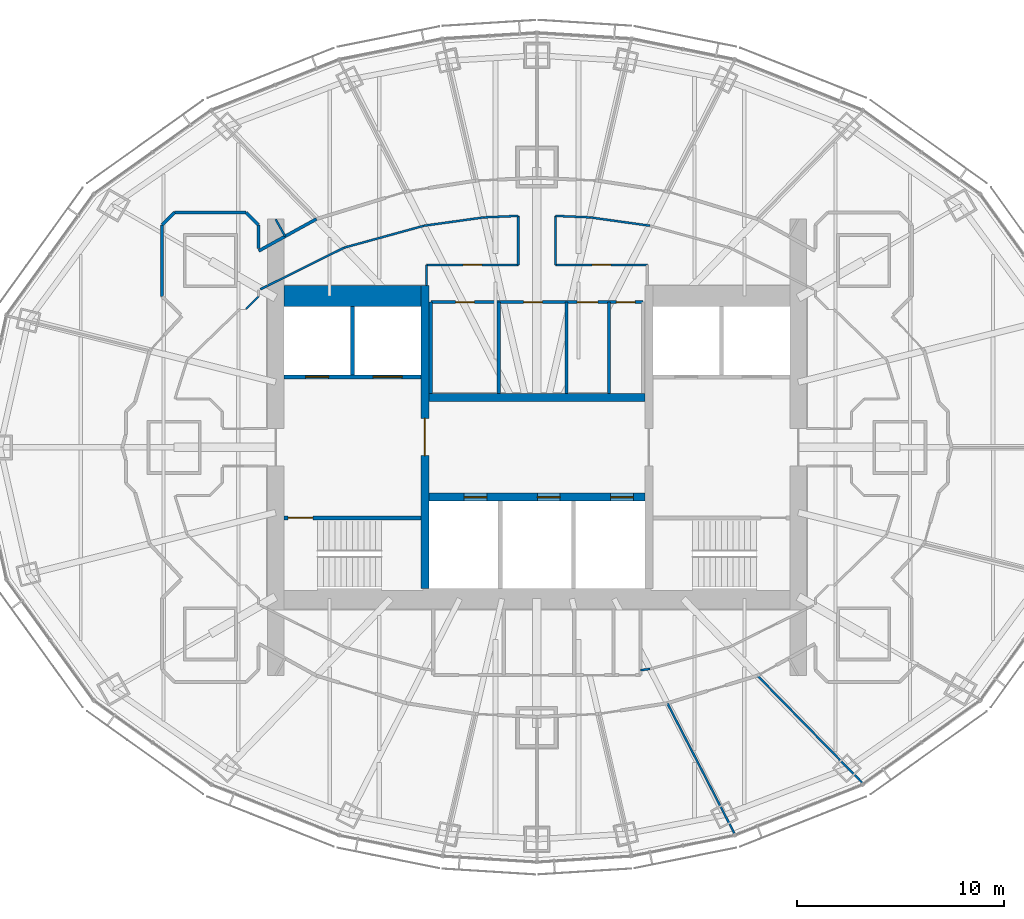
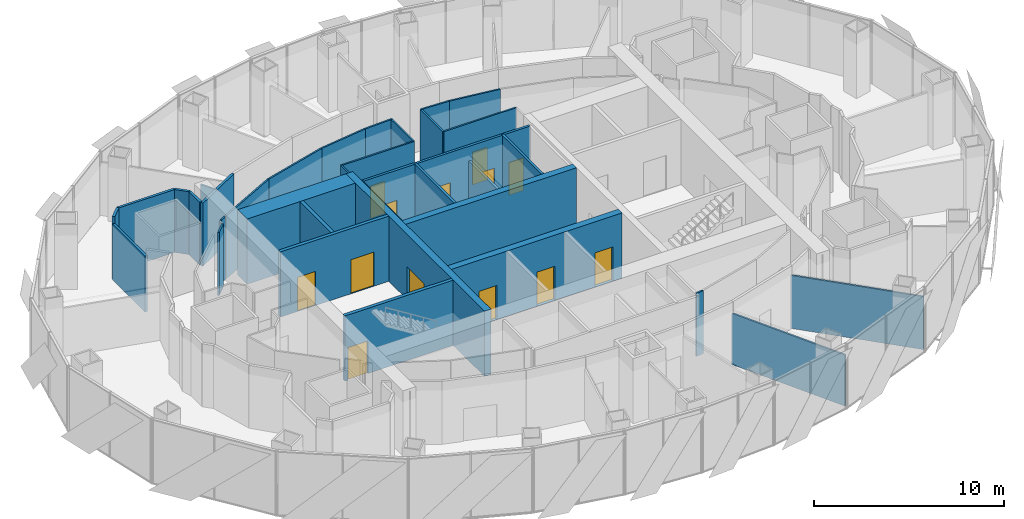
# One storey, part 13 of 19: 35 walls, 13 doors, 13 openings.
"""IFC4 building model written with IfcOpenShell, lengths in metres."""

from ifc_helpers import new_model, si_unit, direction, frame, frame_2d, origin, place, context, subcontext, project, spatial, rectangle, extrude, material, layer, layer_set, type_object, element, fill, save


model = new_model("IFC4")

# Units and contexts
model_context = context("Model", 3, precision=1e-05, world=origin(), true_north=direction((0.0, 1.0)))
body_context = subcontext(model_context, "Body", "Model", "MODEL_VIEW")
ifc_project = project(units=[si_unit("LENGTHUNIT", "METRE"), si_unit("AREAUNIT", "SQUARE_METRE"), si_unit("VOLUMEUNIT", "CUBIC_METRE"), si_unit("PLANEANGLEUNIT", "RADIAN"), si_unit("MASSUNIT", "GRAM", prefix="KILO")], contexts=[model_context])

# Site, building, storey
site_placement = place(None, origin())
site = spatial("IfcSite", under=ifc_project, at=site_placement, CompositionType="ELEMENT")
building_placement = place(site_placement, origin())
building = spatial("IfcBuilding", under=site, at=building_placement, Name="Lantaw Convention Tower", CompositionType="ELEMENT")
storey_placement = place(building_placement, frame((0.0, 0.0, 245.199951171875)))
storey = spatial("IfcBuildingStorey", under=building, at=storey_placement, Name="L57", CompositionType="ELEMENT", Elevation=245.199951171875)

# Wall
ifc_material_1 = material(Name="Concrete C60/75", Category="concrete")
ifc_layer_1 = layer(ifc_material_1, 1.0)
ifc_layer_set_1 = layer_set([ifc_layer_1], Name="Core wall 1000")
wall_type_1 = type_object("IfcWallType", Name="Core wall 1000", PredefinedType="SHEAR", material=ifc_layer_set_1)
wall_1_placement = place(storey_placement, frame((-5.60009765625, 7.300048828125, 0.0), z_axis=(0.0, 0.0, 1.0), x_axis=(-1.0, 0.0, 0.0)))
element("IfcWall", 1, at=wall_1_placement, inside=storey, type_object=wall_type_1, Name="Core wall NW", PredefinedType="SHEAR", context=body_context, shape_type="SweptSolid", body=[
    extrude(rectangle(XDim=6.599853515625, YDim=1.0, at=frame_2d((3.2998046875, 0.0))), origin(), (0.0, 0.0, 1.0), 4.199951171875),
])

# Wall, opening, door
ifc_layer_2 = layer(ifc_material_1, 0.199951171875)
ifc_layer_set_2 = layer_set([ifc_layer_2], Name="Core wall 200")
wall_type_2 = type_object("IfcWallType", Name="Core wall 200", PredefinedType="SHEAR", material=ifc_layer_set_2)
wall_2_placement = place(storey_placement, frame((-5.60009765625, -3.39990234375, 0.0), z_axis=(0.0, 0.0, 1.0), x_axis=(-1.0, 0.0, 0.0)))
wall_2 = element("IfcWall", 2, at=wall_2_placement, inside=storey, type_object=wall_type_2, Name="Core wall WS", PredefinedType="SHEAR", context=body_context, shape_type="SweptSolid", body=[
    extrude(rectangle(XDim=6.599853515625, YDim=0.199951171875, at=frame_2d((3.2998046875, 0.0))), origin(), (0.0, 0.0, 1.0), 4.199951171875),
])
opening_1_placement = place(wall_2_placement, frame((5.199951171875, 0.0, 0.0)))
opening_1 = element("IfcOpeningElement", 3, at=opening_1_placement, cuts=wall_2, Name="Opening L57.04", PredefinedType="OPENING", context=body_context, shape_type="SweptSolid", body=[
    extrude(rectangle(XDim=1.199951171875, YDim=2.10009765625, at=frame_2d((0.60009765625, 1.050048828125))), frame((0.0, 0.10986328125, 0.0), z_axis=(0.0, -1.0, 0.0), x_axis=(1.0, 0.0, 0.0)), (0.0, 0.0, 1.0), 0.219970703125),
])
ifc_material_2 = material(Name="Steel, fire rated", Category="steel")
door_type_1 = type_object("IfcDoorType", Name="Stair door FD90", OperationType="SINGLE_SWING_RIGHT", PredefinedType="DOOR", material=ifc_material_2)
door_1_placement = place(opening_1_placement, origin())
door_1 = element("IfcDoor", 4, at=door_1_placement, inside=storey, type_object=door_type_1, Name="Exit stair door", OperationType="SINGLE_SWING_RIGHT", OverallHeight=2.10009765625, OverallWidth=1.199951171875, PredefinedType="DOOR", context=body_context, shape_type="SweptSolid", body=[
    extrude(rectangle(XDim=1.199951171875, YDim=2.10009765625, at=frame_2d((0.60009765625, 1.050048828125))), frame((0.0, 0.02490234375, 0.0), z_axis=(0.0, -1.0, 0.0), x_axis=(1.0, 0.0, 0.0)), (0.0, 0.0, 1.0), 0.050048828125),
])
fill(opening_1, door_1)

ifc_layer_3 = layer(ifc_material_1, 0.39990234375)
ifc_layer_set_3 = layer_set([ifc_layer_3], Name="Core wall 400")
wall_type_3 = type_object("IfcWallType", Name="Core wall 400", PredefinedType="SHEAR", material=ifc_layer_set_3)
wall_3_placement = place(storey_placement, frame((-5.39990234375, 7.800048828125, 0.0), z_axis=(0.0, 0.0, 1.0), x_axis=(0.0, -1.0, 0.0)))
wall_3 = element("IfcWall", 5, at=wall_3_placement, inside=storey, type_object=wall_type_3, Name="Core wall XW", PredefinedType="SHEAR", context=body_context, shape_type="SweptSolid", body=[
    extrude(rectangle(XDim=14.60009765625, YDim=0.39990234375, at=frame_2d((7.300048828125, 0.0))), origin(), (0.0, 0.0, 1.0), 4.199951171875),
])
opening_2_placement = place(wall_3_placement, frame((6.39990234375, 0.0, 0.0)))
opening_2 = element("IfcOpeningElement", 6, at=opening_2_placement, cuts=wall_3, Name="Opening L57.02", PredefinedType="OPENING", context=body_context, shape_type="SweptSolid", body=[
    extrude(rectangle(XDim=1.800048828125, YDim=2.10009765625, at=frame_2d((0.89990234375, 1.050048828125))), frame((0.0, 0.2099609375, 0.0), z_axis=(0.0, -1.0, 0.0), x_axis=(1.0, 0.0, 0.0)), (0.0, 0.0, 1.0), 0.419921875),
])
door_type_2 = type_object("IfcDoorType", Name="Lobby double door FD90", OperationType="DOUBLE_DOOR_DOUBLE_SWING", PredefinedType="DOOR", material=ifc_material_2)
door_2_placement = place(opening_2_placement, origin())
door_2 = element("IfcDoor", 7, at=door_2_placement, inside=storey, type_object=door_type_2, Name="Lift lobby door", OperationType="DOUBLE_DOOR_DOUBLE_SWING", OverallHeight=2.10009765625, OverallWidth=1.800048828125, PredefinedType="DOOR", context=body_context, shape_type="SweptSolid", body=[
    extrude(rectangle(XDim=1.800048828125, YDim=2.10009765625, at=frame_2d((0.89990234375, 1.050048828125))), frame((0.0, 0.02490234375, 0.0), z_axis=(0.0, -1.0, 0.0), x_axis=(1.0, 0.0, 0.0)), (0.0, 0.0, 1.0), 0.050048828125),
])
fill(opening_2, door_2)

# Wall, openings, doors
wall_4_placement = place(storey_placement, frame((-5.199951171875, -2.39990234375, 0.0), z_axis=(0.0, 0.0, 1.0), x_axis=(1.0, 0.0, 0.0)))
wall_4 = element("IfcWall", 8, at=wall_4_placement, inside=storey, type_object=wall_type_3, Name="Core wall BS", PredefinedType="SHEAR", context=body_context, shape_type="SweptSolid", body=[
    extrude(rectangle(XDim=10.39990234375, YDim=0.39990234375, at=frame_2d((5.199951171875, 0.0))), origin(), (0.0, 0.0, 1.0), 4.199951171875),
])
opening_3_placement = place(wall_4_placement, frame((1.683349609375, 0.0, 0.0)))
opening_3 = element("IfcOpeningElement", 9, at=opening_3_placement, cuts=wall_4, Name="Opening L57.07", PredefinedType="OPENING", context=body_context, shape_type="SweptSolid", body=[
    extrude(rectangle(XDim=1.10009765625, YDim=2.199951171875, at=frame_2d((0.550048828125, 1.10009765625))), frame((0.0, 0.2099609375, 0.0), z_axis=(0.0, -1.0, 0.0), x_axis=(1.0, 0.0, 0.0)), (0.0, 0.0, 1.0), 0.419921875),
])
opening_4_placement = place(wall_4_placement, frame((5.216796875, 0.0, 0.0)))
opening_4 = element("IfcOpeningElement", 10, at=opening_4_placement, cuts=wall_4, Name="Opening L57.08", PredefinedType="OPENING", context=body_context, shape_type="SweptSolid", body=[
    extrude(rectangle(XDim=1.10009765625, YDim=2.199951171875, at=frame_2d((0.550048828125, 1.10009765625))), frame((0.0, 0.2099609375, 0.0), z_axis=(0.0, -1.0, 0.0), x_axis=(1.0, 0.0, 0.0)), (0.0, 0.0, 1.0), 0.419921875),
])
opening_5_placement = place(wall_4_placement, frame((8.75, 0.0, 0.0)))
opening_5 = element("IfcOpeningElement", 11, at=opening_5_placement, cuts=wall_4, Name="Opening L57.09", PredefinedType="OPENING", context=body_context, shape_type="SweptSolid", body=[
    extrude(rectangle(XDim=1.10009765625, YDim=2.199951171875, at=frame_2d((0.550048828125, 1.10009765625))), frame((0.0, 0.2099609375, 0.0), z_axis=(0.0, -1.0, 0.0), x_axis=(1.0, 0.0, 0.0)), (0.0, 0.0, 1.0), 0.419921875),
])
ifc_material_3 = material(Name="Stainless steel", Category="steel")
door_type_3 = type_object("IfcDoorType", Name="Lift landing door 1100", OperationType="DOUBLE_DOOR_SLIDING", PredefinedType="DOOR", material=ifc_material_3)
door_3_placement = place(opening_3_placement, origin())
door_3 = element("IfcDoor", 12, at=door_3_placement, inside=storey, type_object=door_type_3, Name="Lift landing door S1", OperationType="DOUBLE_DOOR_SLIDING", OverallHeight=2.199951171875, OverallWidth=1.10009765625, PredefinedType="DOOR", context=body_context, shape_type="SweptSolid", body=[
    extrude(rectangle(XDim=1.10009765625, YDim=2.199951171875, at=frame_2d((0.550048828125, 1.10009765625))), frame((0.0, 0.02490234375, 0.0), z_axis=(0.0, -1.0, 0.0), x_axis=(1.0, 0.0, 0.0)), (0.0, 0.0, 1.0), 0.050048828125),
])
fill(opening_3, door_3)
door_4_placement = place(opening_4_placement, origin())
door_4 = element("IfcDoor", 13, at=door_4_placement, inside=storey, type_object=door_type_3, Name="Lift landing door S2", OperationType="DOUBLE_DOOR_SLIDING", OverallHeight=2.199951171875, OverallWidth=1.10009765625, PredefinedType="DOOR", context=body_context, shape_type="SweptSolid", body=[
    extrude(rectangle(XDim=1.10009765625, YDim=2.199951171875, at=frame_2d((0.550048828125, 1.10009765625))), frame((0.0, 0.02490234375, 0.0), z_axis=(0.0, -1.0, 0.0), x_axis=(1.0, 0.0, 0.0)), (0.0, 0.0, 1.0), 0.050048828125),
])
fill(opening_4, door_4)
door_5_placement = place(opening_5_placement, origin())
door_5 = element("IfcDoor", 14, at=door_5_placement, inside=storey, type_object=door_type_3, Name="Lift landing door S3", OperationType="DOUBLE_DOOR_SLIDING", OverallHeight=2.199951171875, OverallWidth=1.10009765625, PredefinedType="DOOR", context=body_context, shape_type="SweptSolid", body=[
    extrude(rectangle(XDim=1.10009765625, YDim=2.199951171875, at=frame_2d((0.550048828125, 1.10009765625))), frame((0.0, 0.02490234375, 0.0), z_axis=(0.0, -1.0, 0.0), x_axis=(1.0, 0.0, 0.0)), (0.0, 0.0, 1.0), 0.050048828125),
])
fill(opening_5, door_5)

# Walls
wall_5_placement = place(storey_placement, frame((5.199951171875, 2.39990234375, 0.0), z_axis=(0.0, 0.0, 1.0), x_axis=(-1.0, 0.0, 0.0)))
element("IfcWall", 15, at=wall_5_placement, inside=storey, type_object=wall_type_3, Name="Core wall BN", PredefinedType="SHEAR", context=body_context, shape_type="SweptSolid", body=[
    extrude(rectangle(XDim=10.39990234375, YDim=0.39990234375, at=frame_2d((5.199951171875, 0.0))), origin(), (0.0, 0.0, 1.0), 4.199951171875),
])
ifc_material_4 = material(Name="Gypsum board on steel studs, fire rated", Category="steel")
ifc_layer_4 = layer(ifc_material_4, 0.14990234375)
ifc_layer_set_4 = layer_set([ifc_layer_4], Name="Corridor wall 150 EI 60")
wall_type_4 = type_object("IfcWallType", Name="Corridor wall 150 EI 60", PredefinedType="PARTITIONING", material=ifc_layer_set_4)
wall_6_placement = place(storey_placement, frame((-10.6328125, 11.010498046875, 0.0), z_axis=(0.0, 0.0, 1.0), x_axis=(-0.875072100837, -0.483992580869, 0.0)))
element("IfcWall", 16, at=wall_6_placement, inside=storey, type_object=wall_type_4, Name="Corridor wall 150", PredefinedType="PARTITIONING", context=body_context, shape_type="SweptSolid", body=[
    extrude(rectangle(XDim=3.179443359375, YDim=0.14990234375, at=frame_2d((1.58984375, 0.0))), origin(), (0.0, 0.0, 1.0), 4.050048828125),
])
wall_7_placement = place(storey_placement, frame((-18.074951171875, 7.275390625, 0.0), z_axis=(0.0, 0.0, 1.0), x_axis=(0.0, 1.0, 0.0)))
element("IfcWall", 17, at=wall_7_placement, inside=storey, type_object=wall_type_4, Name="Corridor wall 150", PredefinedType="PARTITIONING", context=body_context, shape_type="SweptSolid", body=[
    extrude(rectangle(XDim=3.44921875, YDim=0.14990234375, at=frame_2d((1.724609375, 0.0))), origin(), (0.0, 0.0, 1.0), 3.6005859375),
])
wall_8_placement = place(storey_placement, frame((-18.074951171875, 10.724609375, 0.0), z_axis=(0.0, 0.0, 1.0), x_axis=(0.707106781187, 0.707106781187, 0.0)))
element("IfcWall", 18, at=wall_8_placement, inside=storey, type_object=wall_type_4, Name="Corridor wall 150", PredefinedType="PARTITIONING", context=body_context, shape_type="SweptSolid", body=[
    extrude(rectangle(XDim=0.84912109375, YDim=0.14990234375, at=frame_2d((0.424560546875, 0.0))), origin(), (0.0, 0.0, 1.0), 4.050048828125),
])
wall_9_placement = place(storey_placement, frame((-17.474609375, 11.324951171875, 0.0), z_axis=(0.0, 0.0, 1.0), x_axis=(1.0, 0.0, 0.0)))
element("IfcWall", 19, at=wall_9_placement, inside=storey, type_object=wall_type_4, Name="Corridor wall 150", PredefinedType="PARTITIONING", context=body_context, shape_type="SweptSolid", body=[
    extrude(rectangle(XDim=3.44921875, YDim=0.14990234375, at=frame_2d((1.724609375, 0.0))), origin(), (0.0, 0.0, 1.0), 4.050048828125),
])
wall_10_placement = place(storey_placement, frame((-14.025390625, 11.324951171875, 0.0), z_axis=(0.0, 0.0, 1.0), x_axis=(0.707106781187, -0.707106781187, 0.0)))
element("IfcWall", 20, at=wall_10_placement, inside=storey, type_object=wall_type_4, Name="Corridor wall 150", PredefinedType="PARTITIONING", context=body_context, shape_type="SweptSolid", body=[
    extrude(rectangle(XDim=0.84912109375, YDim=0.14990234375, at=frame_2d((0.424560546875, 0.0))), origin(), (0.0, 0.0, 1.0), 4.050048828125),
])
wall_11_placement = place(storey_placement, frame((-13.425048828125, 10.724609375, 0.0), z_axis=(0.0, 0.0, 1.0), x_axis=(0.0, -1.0, 0.0)))
element("IfcWall", 21, at=wall_11_placement, inside=storey, type_object=wall_type_4, Name="Corridor wall 150", PredefinedType="PARTITIONING", context=body_context, shape_type="SweptSolid", body=[
    extrude(rectangle(XDim=1.138427734375, YDim=0.14990234375, at=frame_2d((0.5693359375, 0.0))), origin(), (0.0, 0.0, 1.0), 4.050048828125),
])
ifc_material_5 = material(Name="Gypsum board on steel studs, acoustic", Category="steel")
ifc_layer_5 = layer(ifc_material_5, 0.10009765625)
ifc_layer_set_5 = layer_set([ifc_layer_5], Name="Office partition 100")
wall_type_5 = type_object("IfcWallType", Name="Office partition 100", PredefinedType="PARTITIONING", material=ifc_layer_set_5)
wall_12_placement = place(storey_placement, frame((9.53955078125, -18.650390625, 0.0), z_axis=(0.0, 0.0, 1.0), x_axis=(-0.45810402165, 0.88889859115, 0.0)))
element("IfcWall", 22, at=wall_12_placement, inside=storey, type_object=wall_type_5, Name="Office partition 100", PredefinedType="PARTITIONING", context=body_context, shape_type="SweptSolid", body=[
    extrude(rectangle(XDim=7.09814453125, YDim=0.10009765625, at=frame_2d((3.549072265625, 0.0))), origin(), (0.0, 0.0, 1.0), 3.293212890625),
])
wall_13_placement = place(storey_placement, frame((15.709228515625, -16.19873046875, 0.0), z_axis=(0.0, 0.0, 1.0), x_axis=(-0.699362525935, 0.714767135029, 0.0)))
element("IfcWall", 23, at=wall_13_placement, inside=storey, type_object=wall_type_5, Name="Office partition 100", PredefinedType="PARTITIONING", context=body_context, shape_type="SweptSolid", body=[
    extrude(rectangle(XDim=7.258544921875, YDim=0.10009765625, at=frame_2d((3.62939453125, 0.0))), origin(), (0.0, 0.0, 1.0), 3.409912109375),
])
wall_14_placement = place(storey_placement, frame((5.4453125, -10.68701171875, 0.0), z_axis=(0.0, 0.0, 1.0), x_axis=(-0.990442882696, -0.137923515463, 0.0)))
element("IfcWall", 24, at=wall_14_placement, inside=storey, type_object=wall_type_5, Name="Office partition 100", PredefinedType="PARTITIONING", context=body_context, shape_type="SweptSolid", body=[
    extrude(rectangle(XDim=0.44970703125, YDim=0.10009765625, at=frame_2d((0.224853515625, 0.0))), origin(), (0.0, 0.0, 1.0), 4.050048828125),
])

# Wall, opening, door
wall_15_placement = place(storey_placement, frame((5.320068359375, 8.800048828125, 0.0), z_axis=(0.0, 0.0, 1.0), x_axis=(-1.0, 0.0, 0.0)))
wall_15 = element("IfcWall", 25, at=wall_15_placement, inside=storey, type_object=wall_type_5, Name="Office partition 100", PredefinedType="PARTITIONING", context=body_context, shape_type="SweptSolid", body=[
    extrude(rectangle(XDim=4.420166015625, YDim=0.10009765625, at=frame_2d((2.2099609375, 0.0))), origin(), (0.0, 0.0, 1.0), 4.050048828125),
])
opening_6_placement = place(wall_15_placement, frame((1.760009765625, 0.0, 0.0)))
opening_6 = element("IfcOpeningElement", 26, at=opening_6_placement, cuts=wall_15, Name="Opening L57.27", PredefinedType="OPENING", context=body_context, shape_type="SweptSolid", body=[
    extrude(rectangle(XDim=0.89990234375, YDim=2.10009765625, at=frame_2d((0.449951171875, 1.050048828125))), frame((0.0, 0.06005859375, 0.0), z_axis=(0.0, -1.0, 0.0), x_axis=(1.0, 0.0, 0.0)), (0.0, 0.0, 1.0), 0.1201171875),
])
ifc_material_6 = material(Name="Timber", Category="wood")
door_type_4 = type_object("IfcDoorType", Name="Office door 900", OperationType="SINGLE_SWING_LEFT", PredefinedType="DOOR", material=ifc_material_6)
door_6_placement = place(opening_6_placement, origin())
door_6 = element("IfcDoor", 27, at=door_6_placement, inside=storey, type_object=door_type_4, Name="Project room door", OperationType="SINGLE_SWING_LEFT", OverallHeight=2.10009765625, OverallWidth=0.89990234375, PredefinedType="DOOR", context=body_context, shape_type="SweptSolid", body=[
    extrude(rectangle(XDim=0.89990234375, YDim=2.10009765625, at=frame_2d((0.449951171875, 1.050048828125))), frame((0.0, 0.02490234375, 0.0), z_axis=(0.0, -1.0, 0.0), x_axis=(1.0, 0.0, 0.0)), (0.0, 0.0, 1.0), 0.050048828125),
])
fill(opening_6, door_6)

# Walls
wall_16_placement = place(storey_placement, frame((0.89990234375, 8.800048828125, 0.0), z_axis=(0.0, 0.0, 1.0), x_axis=(0.0, 1.0, 0.0)))
element("IfcWall", 28, at=wall_16_placement, inside=storey, type_object=wall_type_5, Name="Office partition 100", PredefinedType="PARTITIONING", context=body_context, shape_type="SweptSolid", body=[
    extrude(rectangle(XDim=2.36083984375, YDim=0.10009765625, at=frame_2d((1.180419921875, 0.0))), origin(), (0.0, 0.0, 1.0), 4.050048828125),
])
wall_17_placement = place(storey_placement, frame((0.89990234375, 11.160888671875, 0.0), z_axis=(0.0, 0.0, 1.0), x_axis=(0.999053939397, -0.043488230303, 0.0)))
element("IfcWall", 29, at=wall_17_placement, inside=storey, type_object=wall_type_5, Name="Office partition 100", PredefinedType="PARTITIONING", context=body_context, shape_type="SweptSolid", body=[
    extrude(rectangle(XDim=1.66162109375, YDim=0.10009765625, at=frame_2d((0.830810546875, 0.0))), origin(), (0.0, 0.0, 1.0), 4.050048828125),
])
wall_18_placement = place(storey_placement, frame((2.56005859375, 11.088623046875, 0.0), z_axis=(0.0, 0.0, 1.0), x_axis=(0.99045099049, -0.137865280027, 0.0)))
element("IfcWall", 30, at=wall_18_placement, inside=storey, type_object=wall_type_5, Name="Office partition 100", PredefinedType="PARTITIONING", context=body_context, shape_type="SweptSolid", body=[
    extrude(rectangle(XDim=2.9130859375, YDim=0.10009765625, at=frame_2d((1.45654296875, 0.0))), origin(), (0.0, 0.0, 1.0), 4.050048828125),
])
wall_19_placement = place(storey_placement, frame((-12.976806640625, 7.800048828125, 0.0), z_axis=(0.0, 0.0, 1.0), x_axis=(0.895529831139, 0.445001484874, 0.0)))
element("IfcWall", 31, at=wall_19_placement, inside=storey, type_object=wall_type_5, Name="Office partition 100", PredefinedType="PARTITIONING", context=body_context, shape_type="SweptSolid", body=[
    extrude(rectangle(XDim=4.108154296875, YDim=0.10009765625, at=frame_2d((2.05419921875, 0.0))), origin(), (0.0, 0.0, 1.0), 4.050048828125),
])
wall_20_placement = place(storey_placement, frame((-9.2978515625, 9.628173828125, 0.0), z_axis=(0.0, 0.0, 1.0), x_axis=(0.964244438722, 0.265014456954, 0.0)))
element("IfcWall", 32, at=wall_20_placement, inside=storey, type_object=wall_type_5, Name="Office partition 100", PredefinedType="PARTITIONING", context=body_context, shape_type="SweptSolid", body=[
    extrude(rectangle(XDim=3.995361328125, YDim=0.10009765625, at=frame_2d((1.99755859375, 0.0))), origin(), (0.0, 0.0, 1.0), 4.050048828125),
])
wall_21_placement = place(storey_placement, frame((-5.4453125, 10.68701171875, 0.0), z_axis=(0.0, 0.0, 1.0), x_axis=(0.99045099049, 0.137865280027, 0.0)))
element("IfcWall", 33, at=wall_21_placement, inside=storey, type_object=wall_type_5, Name="Office partition 100", PredefinedType="PARTITIONING", context=body_context, shape_type="SweptSolid", body=[
    extrude(rectangle(XDim=2.9130859375, YDim=0.10009765625, at=frame_2d((1.45654296875, 0.0))), origin(), (0.0, 0.0, 1.0), 4.050048828125),
])
wall_22_placement = place(storey_placement, frame((-2.56005859375, 11.088623046875, 0.0), z_axis=(0.0, 0.0, 1.0), x_axis=(0.999053939397, 0.043488230303, 0.0)))
element("IfcWall", 34, at=wall_22_placement, inside=storey, type_object=wall_type_5, Name="Office partition 100", PredefinedType="PARTITIONING", context=body_context, shape_type="SweptSolid", body=[
    extrude(rectangle(XDim=1.66162109375, YDim=0.10009765625, at=frame_2d((0.830810546875, 0.0))), origin(), (0.0, 0.0, 1.0), 4.050048828125),
])
wall_23_placement = place(storey_placement, frame((-0.89990234375, 11.160888671875, 0.0), z_axis=(0.0, 0.0, 1.0), x_axis=(0.0, -1.0, 0.0)))
element("IfcWall", 35, at=wall_23_placement, inside=storey, type_object=wall_type_5, Name="Office partition 100", PredefinedType="PARTITIONING", context=body_context, shape_type="SweptSolid", body=[
    extrude(rectangle(XDim=2.36083984375, YDim=0.10009765625, at=frame_2d((1.180419921875, 0.0))), origin(), (0.0, 0.0, 1.0), 4.050048828125),
])

# Wall, opening, door
wall_24_placement = place(storey_placement, frame((-0.89990234375, 8.800048828125, 0.0), z_axis=(0.0, 0.0, 1.0), x_axis=(-1.0, 0.0, 0.0)))
wall_24 = element("IfcWall", 36, at=wall_24_placement, inside=storey, type_object=wall_type_5, Name="Office partition 100", PredefinedType="PARTITIONING", context=body_context, shape_type="SweptSolid", body=[
    extrude(rectangle(XDim=4.420166015625, YDim=0.10009765625, at=frame_2d((2.2099609375, 0.0))), origin(), (0.0, 0.0, 1.0), 4.050048828125),
])
opening_7_placement = place(wall_24_placement, frame((1.760009765625, 0.0, 0.0)))
opening_7 = element("IfcOpeningElement", 37, at=opening_7_placement, cuts=wall_24, Name="Opening L57.28", PredefinedType="OPENING", context=body_context, shape_type="SweptSolid", body=[
    extrude(rectangle(XDim=0.89990234375, YDim=2.10009765625, at=frame_2d((0.449951171875, 1.050048828125))), frame((0.0, 0.06005859375, 0.0), z_axis=(0.0, -1.0, 0.0), x_axis=(1.0, 0.0, 0.0)), (0.0, 0.0, 1.0), 0.1201171875),
])
door_7_placement = place(opening_7_placement, origin())
door_7 = element("IfcDoor", 38, at=door_7_placement, inside=storey, type_object=door_type_4, Name="Meeting room door", OperationType="SINGLE_SWING_LEFT", OverallHeight=2.10009765625, OverallWidth=0.89990234375, PredefinedType="DOOR", context=body_context, shape_type="SweptSolid", body=[
    extrude(rectangle(XDim=0.89990234375, YDim=2.10009765625, at=frame_2d((0.449951171875, 1.050048828125))), frame((0.0, 0.02490234375, 0.0), z_axis=(0.0, -1.0, 0.0), x_axis=(1.0, 0.0, 0.0)), (0.0, 0.0, 1.0), 0.050048828125),
])
fill(opening_7, door_7)

# Walls
wall_25_placement = place(storey_placement, frame((-5.320068359375, 8.800048828125, 0.0), z_axis=(0.0, 0.0, 1.0), x_axis=(0.0, -1.0, 0.0)))
element("IfcWall", 39, at=wall_25_placement, inside=storey, type_object=wall_type_5, Name="Office partition 100", PredefinedType="PARTITIONING", context=body_context, shape_type="SweptSolid", body=[
    extrude(rectangle(XDim=1.0, YDim=0.10009765625, at=frame_2d((0.5, 0.0))), origin(), (0.0, 0.0, 1.0), 4.050048828125),
])
wall_26_placement = place(storey_placement, frame((-13.3369140625, 7.62109375, 0.0), z_axis=(0.0, 0.0, 1.0), x_axis=(0.895721570004, 0.444615416995, 0.0)))
element("IfcWall", 40, at=wall_26_placement, inside=storey, type_object=wall_type_5, Name="Office partition 100", PredefinedType="PARTITIONING", context=body_context, shape_type="SweptSolid", body=[
    extrude(rectangle(XDim=0.376220703125, YDim=0.10009765625, at=frame_2d((0.18798828125, 0.0))), origin(), (0.0, 0.0, 1.0), 4.050048828125),
])
wall_27_placement = place(storey_placement, frame((-12.60009765625, 11.0, 0.0), z_axis=(0.0, 0.0, 1.0), x_axis=(0.484103558985, -0.875010710893, 0.0)))
element("IfcWall", 41, at=wall_27_placement, inside=storey, type_object=wall_type_5, Name="Office partition 100", PredefinedType="PARTITIONING", context=body_context, shape_type="SweptSolid", body=[
    extrude(rectangle(XDim=0.943115234375, YDim=0.10009765625, at=frame_2d((0.4716796875, 0.0))), origin(), (0.0, 0.0, 1.0), 4.050048828125),
])
wall_28_placement = place(storey_placement, frame((-13.425048828125, 7.275390625, 0.0), z_axis=(0.0, 0.0, 1.0), x_axis=(-0.707106781187, -0.707106781187, 0.0)))
element("IfcWall", 42, at=wall_28_placement, inside=storey, type_object=wall_type_5, Name="Office partition 100", PredefinedType="PARTITIONING", context=body_context, shape_type="SweptSolid", body=[
    extrude(rectangle(XDim=0.84912109375, YDim=0.10009765625, at=frame_2d((0.424560546875, 0.0))), origin(), (0.0, 0.0, 1.0), 4.050048828125),
])

# Wall, openings, doors
ifc_material_7 = material(Name="Concrete blockwork, fire rated", Category="masonry")
ifc_layer_6 = layer(ifc_material_7, 0.199951171875)
ifc_layer_set_6 = layer_set([ifc_layer_6], Name="Shaft wall 200")
wall_type_6 = type_object("IfcWallType", Name="Shaft wall 200", PredefinedType="SOLIDWALL", material=ifc_layer_set_6)
wall_29_placement = place(storey_placement, frame((-12.199951171875, 3.39990234375, 0.0), z_axis=(0.0, 0.0, 1.0), x_axis=(1.0, 0.0, 0.0)))
wall_29 = element("IfcWall", 43, at=wall_29_placement, inside=storey, type_object=wall_type_6, Name="Shaft wall WN", PredefinedType="SOLIDWALL", context=body_context, shape_type="SweptSolid", body=[
    extrude(rectangle(XDim=6.599853515625, YDim=0.199951171875, at=frame_2d((3.2998046875, 0.0))), origin(), (0.0, 0.0, 1.0), 4.199951171875),
])
opening_8_placement = place(wall_29_placement, frame((1.050048828125, 0.0, 0.0)))
opening_8 = element("IfcOpeningElement", 44, at=opening_8_placement, cuts=wall_29, Name="Opening L57.10", PredefinedType="OPENING", context=body_context, shape_type="SweptSolid", body=[
    extrude(rectangle(XDim=1.10009765625, YDim=2.199951171875, at=frame_2d((0.550048828125, 1.10009765625))), frame((0.0, 0.10986328125, 0.0), z_axis=(0.0, -1.0, 0.0), x_axis=(1.0, 0.0, 0.0)), (0.0, 0.0, 1.0), 0.219970703125),
])
opening_9_placement = place(wall_29_placement, frame((4.300048828125, 0.0, 0.0)))
opening_9 = element("IfcOpeningElement", 45, at=opening_9_placement, cuts=wall_29, Name="Opening L57.11", PredefinedType="OPENING", context=body_context, shape_type="SweptSolid", body=[
    extrude(rectangle(XDim=1.39990234375, YDim=2.199951171875, at=frame_2d((0.699951171875, 1.10009765625))), frame((0.0, 0.10986328125, 0.0), z_axis=(0.0, -1.0, 0.0), x_axis=(1.0, 0.0, 0.0)), (0.0, 0.0, 1.0), 0.219970703125),
])
door_8_placement = place(opening_8_placement, origin())
door_8 = element("IfcDoor", 46, at=door_8_placement, inside=storey, type_object=door_type_3, Name="Lift landing door FF1", OperationType="DOUBLE_DOOR_SLIDING", OverallHeight=2.199951171875, OverallWidth=1.10009765625, PredefinedType="DOOR", context=body_context, shape_type="SweptSolid", body=[
    extrude(rectangle(XDim=1.10009765625, YDim=2.199951171875, at=frame_2d((0.550048828125, 1.10009765625))), frame((0.0, 0.02490234375, 0.0), z_axis=(0.0, -1.0, 0.0), x_axis=(1.0, 0.0, 0.0)), (0.0, 0.0, 1.0), 0.050048828125),
])
fill(opening_8, door_8)
door_type_5 = type_object("IfcDoorType", Name="Lift landing door 1400", OperationType="DOUBLE_DOOR_SLIDING", PredefinedType="DOOR", material=ifc_material_3)
door_9_placement = place(opening_9_placement, origin())
door_9 = element("IfcDoor", 47, at=door_9_placement, inside=storey, type_object=door_type_5, Name="Lift landing door SV1", OperationType="DOUBLE_DOOR_SLIDING", OverallHeight=2.199951171875, OverallWidth=1.39990234375, PredefinedType="DOOR", context=body_context, shape_type="SweptSolid", body=[
    extrude(rectangle(XDim=1.39990234375, YDim=2.199951171875, at=frame_2d((0.699951171875, 1.10009765625))), frame((0.0, 0.02490234375, 0.0), z_axis=(0.0, -1.0, 0.0), x_axis=(1.0, 0.0, 0.0)), (0.0, 0.0, 1.0), 0.050048828125),
])
fill(opening_9, door_9)

# Wall
wall_30_placement = place(storey_placement, frame((-8.89990234375, 3.5, 0.0), z_axis=(0.0, 0.0, 1.0), x_axis=(0.0, 1.0, 0.0)))
element("IfcWall", 48, at=wall_30_placement, inside=storey, type_object=wall_type_6, Name="Shaft wall WD", PredefinedType="SOLIDWALL", context=body_context, shape_type="SweptSolid", body=[
    extrude(rectangle(XDim=3.300048828125, YDim=0.199951171875, at=frame_2d((1.64990234375, 0.0))), origin(), (0.0, 0.0, 1.0), 4.199951171875),
])

# Wall, openings, doors
ifc_material_8 = material(Name="Concrete blockwork", Category="masonry")
ifc_layer_7 = layer(ifc_material_8, 0.14990234375)
ifc_layer_set_7 = layer_set([ifc_layer_7], Name="WC wall 150")
wall_type_7 = type_object("IfcWallType", Name="WC wall 150", PredefinedType="SOLIDWALL", material=ifc_layer_set_7)
wall_31_placement = place(storey_placement, frame((-5.1201171875, 7.0, 0.0), z_axis=(0.0, 0.0, 1.0), x_axis=(1.0, 0.0, 0.0)))
wall_31 = element("IfcWall", 49, at=wall_31_placement, inside=storey, type_object=wall_type_7, Name="WC wall 150", PredefinedType="SOLIDWALL", context=body_context, shape_type="SweptSolid", body=[
    extrude(rectangle(XDim=10.240234375, YDim=0.14990234375, at=frame_2d((5.1201171875, 0.0))), origin(), (0.0, 0.0, 1.0), 4.050048828125),
])
opening_10_placement = place(wall_31_placement, frame((1.199951171875, 0.0, 0.0)))
opening_10 = element("IfcOpeningElement", 50, at=opening_10_placement, cuts=wall_31, Name="Opening L57.14", PredefinedType="OPENING", context=body_context, shape_type="SweptSolid", body=[
    extrude(rectangle(XDim=0.89990234375, YDim=2.10009765625, at=frame_2d((0.449951171875, 1.050048828125))), frame((0.0, 0.0849609375, 0.0), z_axis=(0.0, -1.0, 0.0), x_axis=(1.0, 0.0, 0.0)), (0.0, 0.0, 1.0), 0.169921875),
])
opening_11_placement = place(wall_31_placement, frame((4.476806640625, 0.0, 0.0)))
opening_11 = element("IfcOpeningElement", 51, at=opening_11_placement, cuts=wall_31, Name="Opening L57.15", PredefinedType="OPENING", context=body_context, shape_type="SweptSolid", body=[
    extrude(rectangle(XDim=0.89990234375, YDim=2.10009765625, at=frame_2d((0.449951171875, 1.050048828125))), frame((0.0, 0.0849609375, 0.0), z_axis=(0.0, -1.0, 0.0), x_axis=(1.0, 0.0, 0.0)), (0.0, 0.0, 1.0), 0.169921875),
])
opening_12_placement = place(wall_31_placement, frame((7.0537109375, 0.0, 0.0)))
opening_12 = element("IfcOpeningElement", 52, at=opening_12_placement, cuts=wall_31, Name="Opening L57.16", PredefinedType="OPENING", context=body_context, shape_type="SweptSolid", body=[
    extrude(rectangle(XDim=1.0, YDim=2.10009765625, at=frame_2d((0.5, 1.050048828125))), frame((0.0, 0.0849609375, 0.0), z_axis=(0.0, -1.0, 0.0), x_axis=(1.0, 0.0, 0.0)), (0.0, 0.0, 1.0), 0.169921875),
])
opening_13_placement = place(wall_31_placement, frame((8.95166015625, 0.0, 0.0)))
opening_13 = element("IfcOpeningElement", 53, at=opening_13_placement, cuts=wall_31, Name="Opening L57.17", PredefinedType="OPENING", context=body_context, shape_type="SweptSolid", body=[
    extrude(rectangle(XDim=0.89990234375, YDim=2.10009765625, at=frame_2d((0.449951171875, 1.050048828125))), frame((0.0, 0.0849609375, 0.0), z_axis=(0.0, -1.0, 0.0), x_axis=(1.0, 0.0, 0.0)), (0.0, 0.0, 1.0), 0.169921875),
])
door_type_6 = type_object("IfcDoorType", Name="Accessible WC door 1000", OperationType="SINGLE_SWING_LEFT", PredefinedType="DOOR", material=ifc_material_6)
door_10_placement = place(opening_12_placement, origin())
door_10 = element("IfcDoor", 54, at=door_10_placement, inside=storey, type_object=door_type_6, Name="Accessible WC door", OperationType="SINGLE_SWING_LEFT", OverallHeight=2.10009765625, OverallWidth=1.0, PredefinedType="DOOR", context=body_context, shape_type="SweptSolid", body=[
    extrude(rectangle(XDim=1.0, YDim=2.10009765625, at=frame_2d((0.5, 1.050048828125))), frame((0.0, 0.02490234375, 0.0), z_axis=(0.0, -1.0, 0.0), x_axis=(1.0, 0.0, 0.0)), (0.0, 0.0, 1.0), 0.050048828125),
])
fill(opening_12, door_10)
door_type_7 = type_object("IfcDoorType", Name="WC door 900", OperationType="SINGLE_SWING_LEFT", PredefinedType="DOOR", material=ifc_material_6)
door_11_placement = place(opening_10_placement, origin())
door_11 = element("IfcDoor", 55, at=door_11_placement, inside=storey, type_object=door_type_7, Name="Male WC door", OperationType="SINGLE_SWING_LEFT", OverallHeight=2.10009765625, OverallWidth=0.89990234375, PredefinedType="DOOR", context=body_context, shape_type="SweptSolid", body=[
    extrude(rectangle(XDim=0.89990234375, YDim=2.10009765625, at=frame_2d((0.449951171875, 1.050048828125))), frame((0.0, 0.02490234375, 0.0), z_axis=(0.0, -1.0, 0.0), x_axis=(1.0, 0.0, 0.0)), (0.0, 0.0, 1.0), 0.050048828125),
])
fill(opening_10, door_11)
door_12_placement = place(opening_11_placement, origin())
door_12 = element("IfcDoor", 56, at=door_12_placement, inside=storey, type_object=door_type_7, Name="Female WC door", OperationType="SINGLE_SWING_LEFT", OverallHeight=2.10009765625, OverallWidth=0.89990234375, PredefinedType="DOOR", context=body_context, shape_type="SweptSolid", body=[
    extrude(rectangle(XDim=0.89990234375, YDim=2.10009765625, at=frame_2d((0.449951171875, 1.050048828125))), frame((0.0, 0.02490234375, 0.0), z_axis=(0.0, -1.0, 0.0), x_axis=(1.0, 0.0, 0.0)), (0.0, 0.0, 1.0), 0.050048828125),
])
fill(opening_11, door_12)
door_13_placement = place(opening_13_placement, origin())
door_13 = element("IfcDoor", 57, at=door_13_placement, inside=storey, type_object=door_type_7, Name="Cleaner's store door", OperationType="SINGLE_SWING_LEFT", OverallHeight=2.10009765625, OverallWidth=0.89990234375, PredefinedType="DOOR", context=body_context, shape_type="SweptSolid", body=[
    extrude(rectangle(XDim=0.89990234375, YDim=2.10009765625, at=frame_2d((0.449951171875, 1.050048828125))), frame((0.0, 0.02490234375, 0.0), z_axis=(0.0, -1.0, 0.0), x_axis=(1.0, 0.0, 0.0)), (0.0, 0.0, 1.0), 0.050048828125),
])
fill(opening_13, door_13)

# Walls
for number, where, z_axis, x_axis, name in (
    (58, (-5.1201171875, 2.60009765625, 0.0), (0.0, 0.0, 1.0), (0.0, 1.0, 0.0), "WC wall 150"),
    (59, (-1.84326171875, 2.60009765625, 0.0), (0.0, 0.0, 1.0), (0.0, 1.0, 0.0), "WC wall 150"),
):
    element("IfcWall", number, at=place(storey_placement, frame(where, z_axis=z_axis, x_axis=x_axis)), inside=storey, type_object=wall_type_7, Name=name, PredefinedType="SOLIDWALL", context=body_context, shape_type="SweptSolid", body=[
        extrude(rectangle(XDim=4.39990234375, YDim=0.14990234375, at=frame_2d((2.199951171875, 0.0))), origin(), (0.0, 0.0, 1.0), 4.050048828125),
    ])
wall_32_placement = place(storey_placement, frame((1.43359375, 2.60009765625, 0.0), z_axis=(0.0, 0.0, 1.0), x_axis=(0.0, 1.0, 0.0)))
element("IfcWall", 60, at=wall_32_placement, inside=storey, type_object=wall_type_7, Name="WC wall 150", PredefinedType="SOLIDWALL", context=body_context, shape_type="SweptSolid", body=[
    extrude(rectangle(XDim=4.39990234375, YDim=0.14990234375, at=frame_2d((2.199951171875, 0.0))), origin(), (0.0, 0.0, 1.0), 3.107666015625),
])
wall_33_placement = place(storey_placement, frame((3.481689453125, 2.60009765625, 0.0), z_axis=(0.0, 0.0, 1.0), x_axis=(0.0, 1.0, 0.0)))
element("IfcWall", 61, at=wall_33_placement, inside=storey, type_object=wall_type_7, Name="WC wall 150", PredefinedType="SOLIDWALL", context=body_context, shape_type="SweptSolid", body=[
    extrude(rectangle(XDim=4.39990234375, YDim=0.14990234375, at=frame_2d((2.199951171875, 0.0))), origin(), (0.0, 0.0, 1.0), 4.050048828125),
])

save(model, "model.ifc")
